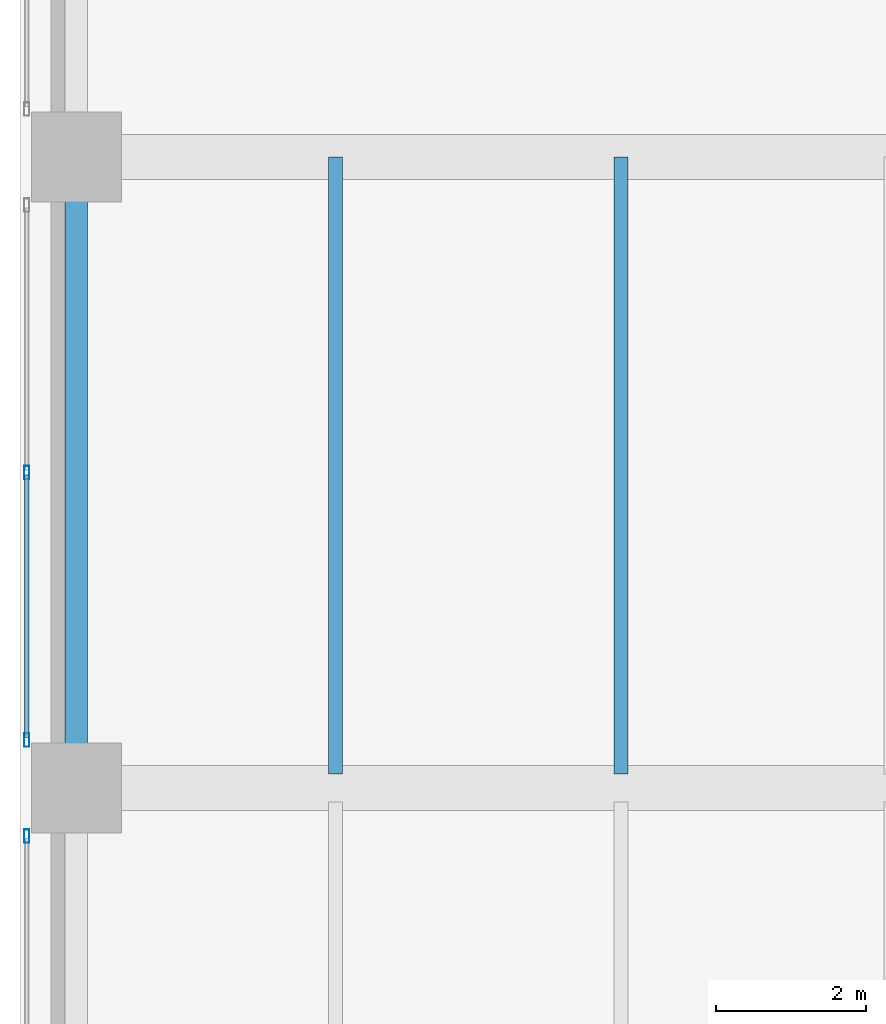
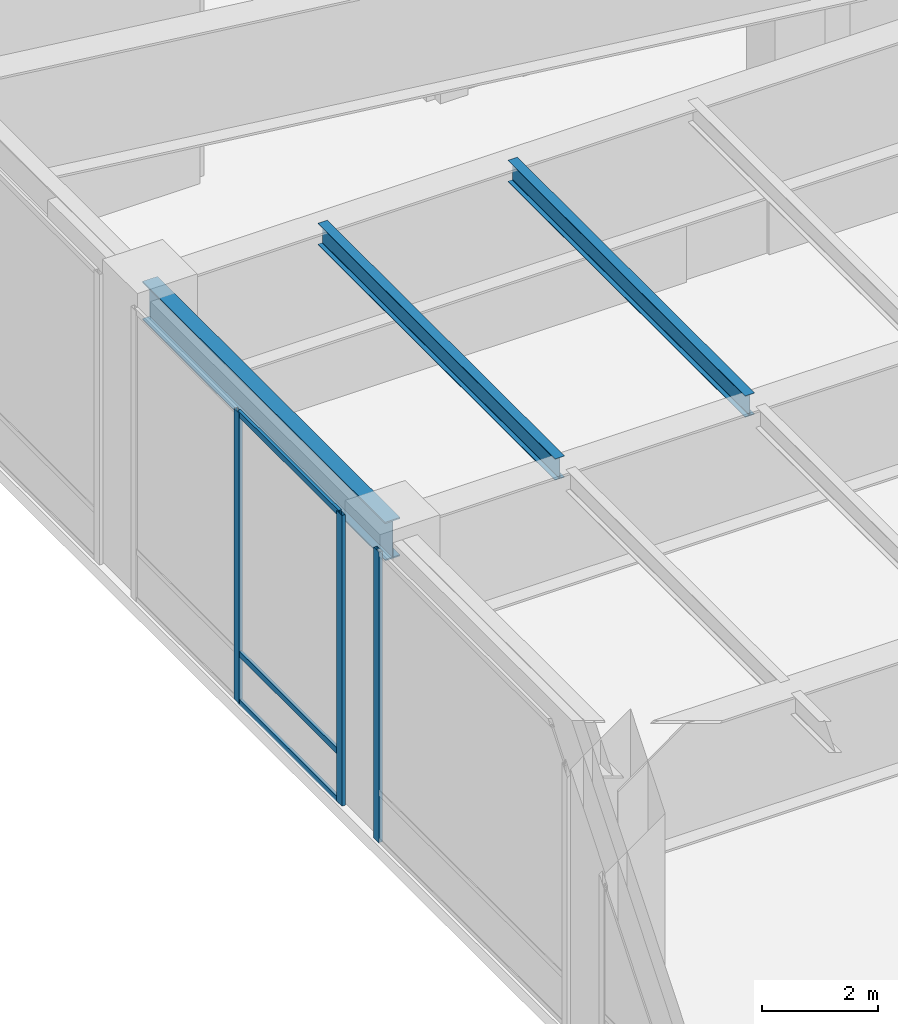
# One storey, part 11 of 50: 6 members, 3 beams, 2 elements without a shape of their own.
"""IFC4 building model written with IfcOpenShell, lengths in metres."""

from ifc_helpers import new_model, si_unit, direction, frame, origin, origin_2d, place, context, subcontext, project, spatial, hollow_rectangle, i_section, extrude, source, transform, mapped, material, layer, layer_set, material_profile, profile_set, type_object, type_shapes, element, aggregate, save


model = new_model("IFC4")

# Units and contexts
model_context = context("Model", 3, precision=1e-05, world=origin(), true_north=direction((0.0, 1.0)))
body_context = subcontext(model_context, "Body", "Model", "MODEL_VIEW")
ifc_project = project(units=[si_unit("LENGTHUNIT", "METRE"), si_unit("AREAUNIT", "SQUARE_METRE"), si_unit("VOLUMEUNIT", "CUBIC_METRE"), si_unit("PLANEANGLEUNIT", "RADIAN"), si_unit("MASSUNIT", "GRAM", prefix="KILO")], contexts=[model_context])

# Site, building, storey
site_placement = place(None, origin())
site = spatial("IfcSite", under=ifc_project, at=site_placement, CompositionType="ELEMENT")
building_placement = place(site_placement, origin())
building = spatial("IfcBuilding", under=site, at=building_placement, Name="Tolvann Quenvar Hotel", CompositionType="ELEMENT")
storey_placement = place(building_placement, frame((0.0, 0.0, 16.0)))
storey = spatial("IfcBuildingStorey", under=building, at=storey_placement, Name="L03", CompositionType="ELEMENT", Elevation=16.0)

# Beams
ifc_material_1 = material(Name="Steel Grade 350", Category="steel")
ifc_material_profile_1 = material_profile(ifc_material_1, i_section(OverallWidth=0.300048828125, OverallDepth=0.81591796875, WebThickness=0.010009765625, FlangeThickness=0.028076171875, at=origin_2d()), Name="800WB192")
ifc_profile_set_1 = profile_set([ifc_material_profile_1], Name="Steel Grade 350")
beam_type_1 = type_object("IfcBeamType", Name="BM_GIRD_800WB192", PredefinedType="BEAM", material=ifc_profile_set_1)
shared_shape_1 = source(origin(), body_context, "Body", "SweptSolid", [
    extrude(i_section(OverallWidth=0.300048828125, OverallDepth=0.81591796875, WebThickness=0.010009765625, FlangeThickness=0.028076171875, at=origin_2d()), origin(), (0.0, 0.0, 1.0), 8.39990234375),
])
type_shapes(beam_type_1, [shared_shape_1])
beam_placement = place(storey_placement, frame((-7.64990234375, 16.0, 5.73193359375), z_axis=(0.0, 1.0, 0.0), x_axis=(-1.0, 0.0, 0.0)))
element("IfcBeam", 1, at=beam_placement, inside=storey, type_object=beam_type_1, Name="BM-L03-NS-A-2", PredefinedType="BEAM", context=body_context, shape_type="MappedRepresentation", body=[
    mapped(shared_shape_1, transform((0.0, 0.0, 0.0), x_axis=(1.0, 0.0, 0.0), y_axis=(0.0, 1.0, 0.0), z_axis=(0.0, 0.0, 1.0), scale=1.0)),
])
ifc_material_profile_2 = material_profile(ifc_material_1, i_section(OverallWidth=0.18994140625, OverallDepth=0.4541015625, WebThickness=0.008544921875, FlangeThickness=0.0126953125, FilletRadius=0.011474609375, at=origin_2d()), Name="460UB67")
ifc_profile_set_2 = profile_set([ifc_material_profile_2], Name="Steel Grade 350")
beam_type_2 = type_object("IfcBeamType", Name="BM_JOIST_460UB67", PredefinedType="JOIST", material=ifc_profile_set_2)
shared_shape_2 = source(origin(), body_context, "Body", "SweptSolid", [
    extrude(i_section(OverallWidth=0.18994140625, OverallDepth=0.4541015625, WebThickness=0.008544921875, FlangeThickness=0.0126953125, FilletRadius=0.011474609375, at=origin_2d()), origin(), (0.0, 0.0, 1.0), 8.21484375),
])
type_shapes(beam_type_2, [shared_shape_2])
for number, where, z_axis, x_axis, name in (
    (2, (-4.199951171875, 16.18505859375, 5.9130859375), (0.0, 1.0, 0.0), (-1.0, 0.0, 0.0), "BJ-L03--42-160"),
    (3, (-0.39990234375, 16.18505859375, 5.9130859375), (0.0, 1.0, 0.0), (-1.0, 0.0, 0.0), "BJ-L03--4-160"),
):
    element("IfcBeam", number, at=place(storey_placement, frame(where, z_axis=z_axis, x_axis=x_axis)), inside=storey, type_object=beam_type_2, Name=name, PredefinedType="JOIST", context=body_context, shape_type="MappedRepresentation", body=[
        mapped(shared_shape_2, transform((0.0, 0.0, 0.0), x_axis=(1.0, 0.0, 0.0), y_axis=(0.0, 1.0, 0.0), z_axis=(0.0, 0.0, 1.0), scale=1.0)),
    ])

# Curtain wall, members
ifc_material_2 = material(Name="Thermally broken anodised architectural aluminium 6063-T6 and laminated low-E glass", Category="aluminium")
ifc_layer = layer(ifc_material_2, 0.179931640625)
ifc_layer_set = layer_set([ifc_layer], Name="Thermally broken anodised architectural aluminium 6063-T6 and laminated low-E glass")
curtain_wall_type = type_object("IfcCurtainWallType", Name="CW_SYS_BALL_02", PredefinedType="USERDEFINED", material=ifc_layer_set)
curtain_wall_1_placement = place(storey_placement, origin())
curtain_wall_1 = element("IfcCurtainWall", 4, at=curtain_wall_1_placement, inside=storey, type_object=curtain_wall_type, Name="Curtain Wall CW-BALL-02 (CWR-L03-E07-S4)", ObjectType="UNITISED CURTAIN WALL", PredefinedType="USERDEFINED")
ifc_material_3 = material(Name="Anodised architectural aluminium 6063-T6 framing", Category="aluminium")
ifc_material_profile_3 = material_profile(ifc_material_3, hollow_rectangle(XDim=0.070068359375, YDim=0.179931640625, WallThickness=0.00390625, at=origin_2d()), Name="180x70x4RHS")
ifc_profile_set_3 = profile_set([ifc_material_profile_3], Name="Anodised architectural aluminium 6063-T6 framing")
member_type_1 = type_object("IfcMemberType", Name="CW_MULL_180x70", PredefinedType="MULLION", material=ifc_profile_set_3)
shared_shape_3 = source(origin(), body_context, "Body", "SweptSolid", [
    extrude(hollow_rectangle(XDim=0.070068359375, YDim=0.179931640625, WallThickness=0.00390625, at=origin_2d()), origin(), (0.0, 0.0, 1.0), 6.139892578125),
])
type_shapes(member_type_1, [shared_shape_3])
member_1_placement = place(storey_placement, frame((-8.31005859375, 20.199951171875, 0.0), z_axis=(0.0, 0.0, 1.0), x_axis=(1.0, 0.0, 0.0)))
member_1 = element("IfcMember", 5, at=member_1_placement, type_object=member_type_1, Name="CW-BALL-02 mullion 2", PredefinedType="MULLION", context=body_context, shape_type="MappedRepresentation", body=[
    mapped(shared_shape_3, transform((0.0, 0.0, 0.0), x_axis=(1.0, 0.0, 0.0), y_axis=(0.0, 1.0, 0.0), z_axis=(0.0, 0.0, 1.0), scale=1.0)),
])
member_2_placement = place(storey_placement, frame((-8.31005859375, 16.638916015625, 0.0), z_axis=(0.0, 0.0, 1.0), x_axis=(1.0, 0.0, 0.0)))
member_2 = element("IfcMember", 6, at=member_2_placement, type_object=member_type_1, Name="CW-BALL-02 mullion 3", PredefinedType="MULLION", context=body_context, shape_type="MappedRepresentation", body=[
    mapped(shared_shape_3, transform((0.0, 0.0, 0.0), x_axis=(1.0, 0.0, 0.0), y_axis=(0.0, 1.0, 0.0), z_axis=(0.0, 0.0, 1.0), scale=1.0)),
])

# Curtain wall, member
curtain_wall_2_placement = place(storey_placement, origin())
curtain_wall_2 = element("IfcCurtainWall", 7, at=curtain_wall_2_placement, inside=storey, type_object=curtain_wall_type, Name="Curtain Wall CW-BALL-02 (CWR-L03-E07-S5)", ObjectType="UNITISED CURTAIN WALL", PredefinedType="USERDEFINED")
member_3_placement = place(storey_placement, frame((-8.31005859375, 15.361083984375, 0.0), z_axis=(0.0, 0.0, 1.0), x_axis=(1.0, 0.0, 0.0)))
member_3 = element("IfcMember", 8, at=member_3_placement, type_object=member_type_1, Name="CW-BALL-02 mullion 1", PredefinedType="MULLION", context=body_context, shape_type="MappedRepresentation", body=[
    mapped(shared_shape_3, transform((0.0, 0.0, 0.0), x_axis=(1.0, 0.0, 0.0), y_axis=(0.0, 1.0, 0.0), z_axis=(0.0, 0.0, 1.0), scale=1.0)),
])
aggregate(curtain_wall_2, [member_3])

# Member
ifc_material_profile_4 = material_profile(ifc_material_3, hollow_rectangle(XDim=0.06005859375, YDim=0.1201171875, WallThickness=0.00341796875, at=origin_2d()), Name="120x60x3.5RHS")
ifc_profile_set_4 = profile_set([ifc_material_profile_4], Name="Anodised architectural aluminium 6063-T6 framing")
member_type_2 = type_object("IfcMemberType", Name="CW_TRAN_120x60", PredefinedType="USERDEFINED", material=ifc_profile_set_4)
shared_shape_4 = source(origin(), body_context, "Body", "SweptSolid", [
    extrude(hollow_rectangle(XDim=0.06005859375, YDim=0.1201171875, WallThickness=0.00341796875, at=origin_2d()), origin(), (0.0, 0.0, 1.0), 3.490966796875),
])
type_shapes(member_type_2, [shared_shape_4])
member_4_placement = place(storey_placement, frame((-8.31005859375, 20.1650390625, 0.030029296875), z_axis=(0.0, -1.0, 0.0), x_axis=(1.0, 0.0, 0.0)))
member_4 = element("IfcMember", 9, at=member_4_placement, type_object=member_type_2, Name="CW-BALL-02 transom 2.1", ObjectType="TRANSOM", PredefinedType="USERDEFINED", context=body_context, shape_type="MappedRepresentation", body=[
    mapped(shared_shape_4, transform((0.0, 0.0, 0.0), x_axis=(1.0, 0.0, 0.0), y_axis=(0.0, 1.0, 0.0), z_axis=(0.0, 0.0, 1.0), scale=1.0)),
])

member_5_placement = place(storey_placement, frame((-8.31005859375, 20.1650390625, 1.050048828125), z_axis=(0.0, -1.0, 0.0), x_axis=(1.0, 0.0, 0.0)))
member_5 = element("IfcMember", 10, at=member_5_placement, type_object=member_type_2, Name="CW-BALL-02 transom 2.2", ObjectType="TRANSOM", PredefinedType="USERDEFINED", context=body_context, shape_type="MappedRepresentation", body=[
    mapped(shared_shape_4, transform((0.0, 0.0, 0.0), x_axis=(1.0, 0.0, 0.0), y_axis=(0.0, 1.0, 0.0), z_axis=(0.0, 0.0, 1.0), scale=1.0)),
])

member_6_placement = place(storey_placement, frame((-8.31005859375, 20.1650390625, 6.110107421875), z_axis=(0.0, -1.0, 0.0), x_axis=(1.0, 0.0, 0.0)))
member_6 = element("IfcMember", 11, at=member_6_placement, type_object=member_type_2, Name="CW-BALL-02 transom 2.3", ObjectType="TRANSOM", PredefinedType="USERDEFINED", context=body_context, shape_type="MappedRepresentation", body=[
    mapped(shared_shape_4, transform((0.0, 0.0, 0.0), x_axis=(1.0, 0.0, 0.0), y_axis=(0.0, 1.0, 0.0), z_axis=(0.0, 0.0, 1.0), scale=1.0)),
])

aggregate(curtain_wall_1, [member_1, member_2, member_4, member_5, member_6])

save(model, "model.ifc")
